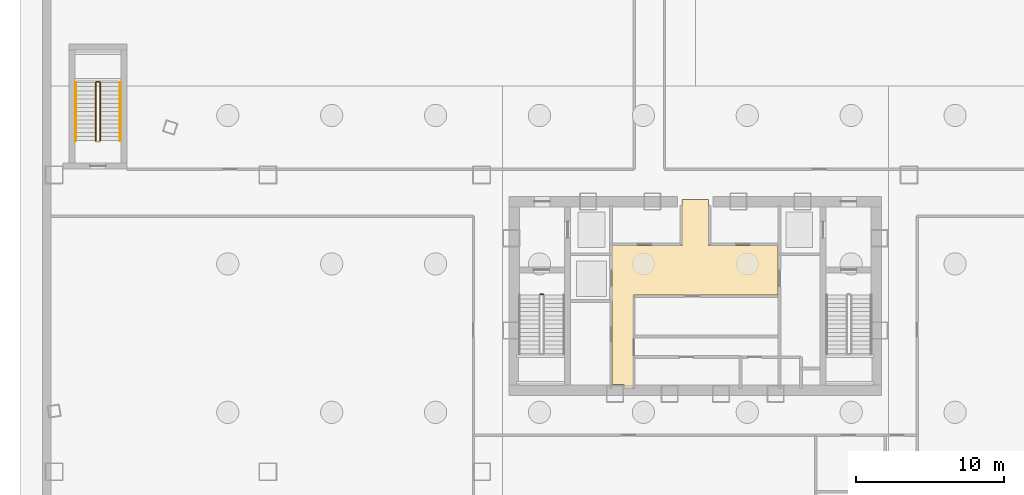
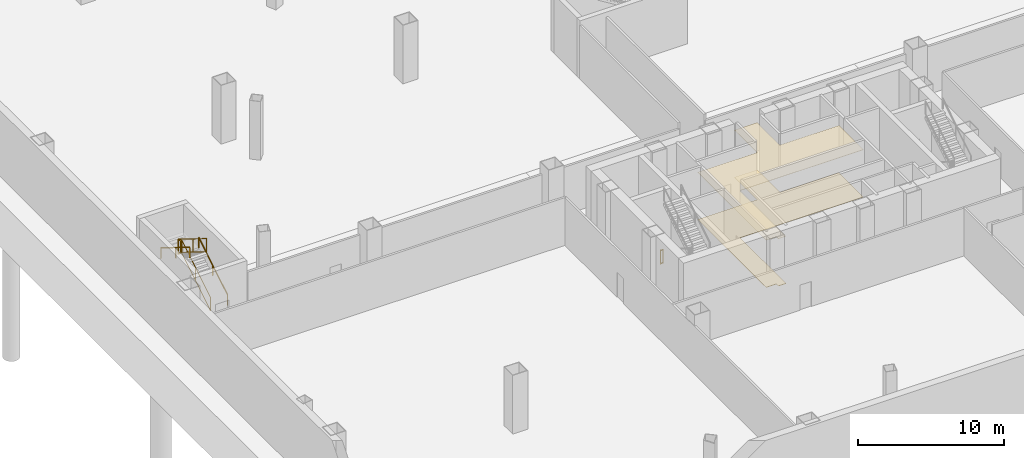
# One storey, part 13 of 15: 6 railings, 2 coverings.
"""IFC4 building model written with IfcOpenShell, lengths in metres."""

from ifc_helpers import new_model, si_unit, direction, frame, origin, origin_2d, place, context, subcontext, project, spatial, polyline, rectangle, outline, extrude, material, layer, layer_set, type_object, element, save


model = new_model("IFC4")

# Units and contexts
model_context = context("Model", 3, precision=1e-05, world=origin(), true_north=direction((0.0, 1.0)))
body_context = subcontext(model_context, "Body", "Model", "MODEL_VIEW")
ifc_project = project(units=[si_unit("LENGTHUNIT", "METRE"), si_unit("AREAUNIT", "SQUARE_METRE"), si_unit("VOLUMEUNIT", "CUBIC_METRE"), si_unit("PLANEANGLEUNIT", "RADIAN"), si_unit("MASSUNIT", "GRAM", prefix="KILO"), si_unit("THERMODYNAMICTEMPERATUREUNIT", "KELVIN"), si_unit("POWERUNIT", "WATT")], contexts=[model_context])

# Site, building, storey
site_placement = place(None, origin())
site = spatial("IfcSite", under=ifc_project, at=site_placement, CompositionType="ELEMENT")
building_placement = place(site_placement, origin())
building = spatial("IfcBuilding", under=site, at=building_placement, Name="Yunzhuo Pagoda Commons", CompositionType="ELEMENT")
storey_placement = place(building_placement, frame((0.0, 0.0, -10.0)))
storey = spatial("IfcBuildingStorey", under=building, at=storey_placement, Name="B02", CompositionType="ELEMENT", Elevation=-10.0)

# Coverings
ifc_material_1 = material(Name="Mineral fibre acoustic ceiling board")
ifc_layer_1 = layer(ifc_material_1, 0.02490234375)
ifc_layer_set_1 = layer_set([ifc_layer_1], Name="Mineral fibre acoustic ceiling board")
covering_type_1 = type_object("IfcCoveringType", Name="COV-CL1 Ceiling 25", PredefinedType="CEILING", material=ifc_layer_set_1)
covering_1_placement = place(storey_placement, frame((0.0, 0.0, 3.949951171875)))
element("IfcCovering", 1, at=covering_1_placement, inside=storey, type_object=covering_type_1, Name="B02 lift lobby acoustic ceiling", PredefinedType="CEILING", context=body_context, shape_type="SweptSolid", body=[
    extrude(outline(polyline([(43.207763671875, 27.85009765625), (43.201904296875, 27.864013671875), (43.187744140625, 27.8701171875), (42.39990234375, 27.8701171875), (42.39990234375, 33.89990234375), (42.39990234375, 37.25), (47.10009765625, 37.25), (47.10009765625, 40.35009765625), (48.89990234375, 40.35009765625), (48.89990234375, 37.25), (53.580078125, 37.25), (53.580078125, 33.89990234375), (43.820068359375, 33.89990234375), (43.820068359375, 27.60009765625), (43.207763671875, 27.60009765625), (43.207763671875, 27.85009765625)])), origin(), (0.0, 0.0, 1.0), 0.025146484375),
])
ifc_material_2 = material(Name="Porcelain ceramic floor tile")
ifc_layer_2 = layer(ifc_material_2, 0.02001953125)
ifc_layer_set_2 = layer_set([ifc_layer_2], Name="Porcelain ceramic floor tile")
covering_type_2 = type_object("IfcCoveringType", Name="COV-FL1 Flooring 20", PredefinedType="FLOORING", material=ifc_layer_set_2)
covering_2_placement = place(storey_placement, origin())
element("IfcCovering", 2, at=covering_2_placement, inside=storey, type_object=covering_type_2, Name="B02 lift lobby flooring", PredefinedType="FLOORING", context=body_context, shape_type="SweptSolid", body=[
    extrude(outline(polyline([(43.207763671875, 27.85009765625), (43.201904296875, 27.864013671875), (43.187744140625, 27.8701171875), (42.39990234375, 27.8701171875), (42.39990234375, 33.89990234375), (42.39990234375, 37.25), (47.10009765625, 37.25), (47.10009765625, 40.35009765625), (48.89990234375, 40.35009765625), (48.89990234375, 37.25), (53.580078125, 37.25), (53.580078125, 33.89990234375), (43.820068359375, 33.89990234375), (43.820068359375, 27.60009765625), (43.207763671875, 27.60009765625), (43.207763671875, 27.85009765625)])), origin(), (0.0, 0.0, 1.0), 0.02001953125),
])

# Railings
ifc_material_3 = material(Name="Anodized aluminium 6063-T6", Category="aluminium")
railing_type_1 = type_object("IfcRailingType", Name="GR-PS3 Podium Well Guardrail 1150", PredefinedType="GUARDRAIL", material=ifc_material_3)
railing_1_placement = place(storey_placement, frame((7.89990234375, 44.300048828125, 0.17333984375)))
element("IfcRailing", 3, at=railing_1_placement, inside=storey, type_object=railing_type_1, Name="B02 PS3 stair guard 1", PredefinedType="GUARDRAIL", context=body_context, shape_type="SweptSolid", body=[
    extrude(rectangle(XDim=0.048095703125, YDim=0.048095703125, at=origin_2d()), frame((0.0, 0.0, 1.1259765625), z_axis=(0.0, 0.850251603719, 0.526376491091), x_axis=(-1.0, 0.0, 0.0)), (0.0, 0.0, 1.0), 4.6103515625),
    extrude(rectangle(XDim=0.048095703125, YDim=0.048095703125, at=origin_2d()), frame((0.0, 0.0, 0.02392578125), z_axis=(0.0, 0.850251603719, 0.526376491091), x_axis=(-1.0, 0.0, 0.0)), (0.0, 0.0, 1.0), 4.6103515625),
    extrude(rectangle(XDim=0.0419921875, YDim=0.0419921875, at=origin_2d()), origin(), (0.0, 0.0, 1.0), 1.101806640625),
    extrude(rectangle(XDim=0.0419921875, YDim=0.0419921875, at=origin_2d()), frame((0.0, 2.04052734375, 1.26318359375)), (0.0, 0.0, 1.0), 1.101806640625),
    extrude(rectangle(XDim=0.0419921875, YDim=0.0419921875, at=origin_2d()), frame((0.0, 3.919921875, 2.4267578125)), (0.0, 0.0, 1.0), 1.101806640625),
])
railing_2_placement = place(storey_placement, frame((7.85009765625, 48.27001953125, 2.60009765625)))
element("IfcRailing", 4, at=railing_2_placement, inside=storey, type_object=railing_type_1, Name="B02 PS3 stair guard 2", PredefinedType="GUARDRAIL", context=body_context, shape_type="SweptSolid", body=[
    extrude(rectangle(XDim=0.048095703125, YDim=0.048095703125, at=origin_2d()), frame((0.0, 0.0, 1.1259765625), z_axis=(-1.0, 0.0, 0.0), x_axis=(0.0, -1.0, 0.0)), (0.0, 0.0, 1.0), 0.2001953125),
    extrude(rectangle(XDim=0.048095703125, YDim=0.048095703125, at=origin_2d()), frame((0.0, 0.0, 0.02392578125), z_axis=(-1.0, 0.0, 0.0), x_axis=(0.0, -1.0, 0.0)), (0.0, 0.0, 1.0), 0.2001953125),
    extrude(rectangle(XDim=0.0419921875, YDim=0.0419921875, at=origin_2d()), origin(), (0.0, 0.0, 1.0), 1.101806640625),
    extrude(rectangle(XDim=0.0419921875, YDim=0.0419921875, at=origin_2d()), frame((-0.2001953125, 0.0, 0.0)), (0.0, 0.0, 1.0), 1.101806640625),
])
railing_3_placement = place(storey_placement, frame((7.60009765625, 48.219970703125, 2.7734375)))
element("IfcRailing", 5, at=railing_3_placement, inside=storey, type_object=railing_type_1, Name="B02 PS3 stair guard 3", PredefinedType="GUARDRAIL", context=body_context, shape_type="SweptSolid", body=[
    extrude(rectangle(XDim=0.048095703125, YDim=0.048095703125, at=origin_2d()), frame((0.0, 0.0, 1.1259765625), z_axis=(0.0, -0.850275303828, 0.526338206574), x_axis=(1.0, 0.0, 0.0)), (0.0, 0.0, 1.0), 4.610107421875),
    extrude(rectangle(XDim=0.048095703125, YDim=0.048095703125, at=origin_2d()), frame((0.0, 0.0, 0.02392578125), z_axis=(0.0, -0.850275303828, 0.526338206574), x_axis=(1.0, 0.0, 0.0)), (0.0, 0.0, 1.0), 4.610107421875),
    extrude(rectangle(XDim=0.0419921875, YDim=0.0419921875, at=origin_2d()), origin(), (0.0, 0.0, 1.0), 1.101806640625),
    extrude(rectangle(XDim=0.0419921875, YDim=0.0419921875, at=origin_2d()), frame((0.0, -2.040771484375, 1.26318359375)), (0.0, 0.0, 1.0), 1.101806640625),
    extrude(rectangle(XDim=0.0419921875, YDim=0.0419921875, at=origin_2d()), frame((0.0, -3.919921875, 2.426513671875)), (0.0, 0.0, 1.0), 1.101806640625),
])
railing_type_2 = type_object("IfcRailingType", Name="GR-ST1 Stair Well Guardrail 1150", PredefinedType="GUARDRAIL", material=ifc_material_3)
railing_4_placement = place(storey_placement, frame((37.550048828125, 33.949951171875, 0.0)))
element("IfcRailing", 6, at=railing_4_placement, inside=storey, type_object=railing_type_2, Name="B02 ST1 stair guard 4", PredefinedType="GUARDRAIL", context=body_context, shape_type="SweptSolid", body=[
    extrude(rectangle(XDim=0.048095703125, YDim=0.048095703125, at=origin_2d()), frame((0.0, 0.0, 1.1259765625), z_axis=(1.0, 0.0, 0.0), x_axis=(0.0, 1.0, 0.0)), (0.0, 0.0, 1.0), 0.199951171875),
    extrude(rectangle(XDim=0.048095703125, YDim=0.048095703125, at=origin_2d()), frame((0.0, 0.0, 0.02392578125), z_axis=(1.0, 0.0, 0.0), x_axis=(0.0, 1.0, 0.0)), (0.0, 0.0, 1.0), 0.199951171875),
    extrude(rectangle(XDim=0.0419921875, YDim=0.0419921875, at=origin_2d()), origin(), (0.0, 0.0, 1.0), 1.101806640625),
    extrude(rectangle(XDim=0.0419921875, YDim=0.0419921875, at=origin_2d()), frame((0.199951171875, 0.0, 0.0)), (0.0, 0.0, 1.0), 1.101806640625),
])
railing_type_3 = type_object("IfcRailingType", Name="HR-PS3 Podium Stair Handrail 900", PredefinedType="HANDRAIL", material=ifc_material_3)
railing_5_placement = place(storey_placement, frame((9.25, 44.300048828125, 0.17333984375)))
element("IfcRailing", 7, at=railing_5_placement, inside=storey, type_object=railing_type_3, Name="B02 PS3 stair handrail 1", PredefinedType="HANDRAIL", context=body_context, shape_type="SweptSolid", body=[
    extrude(rectangle(XDim=0.048095703125, YDim=0.048095703125, at=origin_2d()), frame((0.0, 0.0, 0.8759765625), z_axis=(0.0, 0.850251603719, 0.526376491091), x_axis=(-1.0, 0.0, 0.0)), (0.0, 0.0, 1.0), 4.6103515625),
    extrude(rectangle(XDim=0.0419921875, YDim=0.0419921875, at=origin_2d()), origin(), (0.0, 0.0, 1.0), 0.851806640625),
    extrude(rectangle(XDim=0.0419921875, YDim=0.0419921875, at=origin_2d()), frame((0.0, 2.04052734375, 1.26318359375)), (0.0, 0.0, 1.0), 0.851806640625),
    extrude(rectangle(XDim=0.0419921875, YDim=0.0419921875, at=origin_2d()), frame((0.0, 3.919921875, 2.4267578125)), (0.0, 0.0, 1.0), 0.851806640625),
])
railing_6_placement = place(storey_placement, frame((6.25, 48.219970703125, 2.7734375)))
element("IfcRailing", 8, at=railing_6_placement, inside=storey, type_object=railing_type_3, Name="B02 PS3 stair handrail 2", PredefinedType="HANDRAIL", context=body_context, shape_type="SweptSolid", body=[
    extrude(rectangle(XDim=0.048095703125, YDim=0.048095703125, at=origin_2d()), frame((0.0, 0.0, 0.8759765625), z_axis=(0.0, -0.850275303828, 0.526338206574), x_axis=(1.0, 0.0, 0.0)), (0.0, 0.0, 1.0), 4.610107421875),
    extrude(rectangle(XDim=0.0419921875, YDim=0.0419921875, at=origin_2d()), origin(), (0.0, 0.0, 1.0), 0.851806640625),
    extrude(rectangle(XDim=0.0419921875, YDim=0.0419921875, at=origin_2d()), frame((0.0, -2.040771484375, 1.26318359375)), (0.0, 0.0, 1.0), 0.851806640625),
    extrude(rectangle(XDim=0.0419921875, YDim=0.0419921875, at=origin_2d()), frame((0.0, -3.919921875, 2.426513671875)), (0.0, 0.0, 1.0), 0.851806640625),
])

save(model, "model.ifc")
